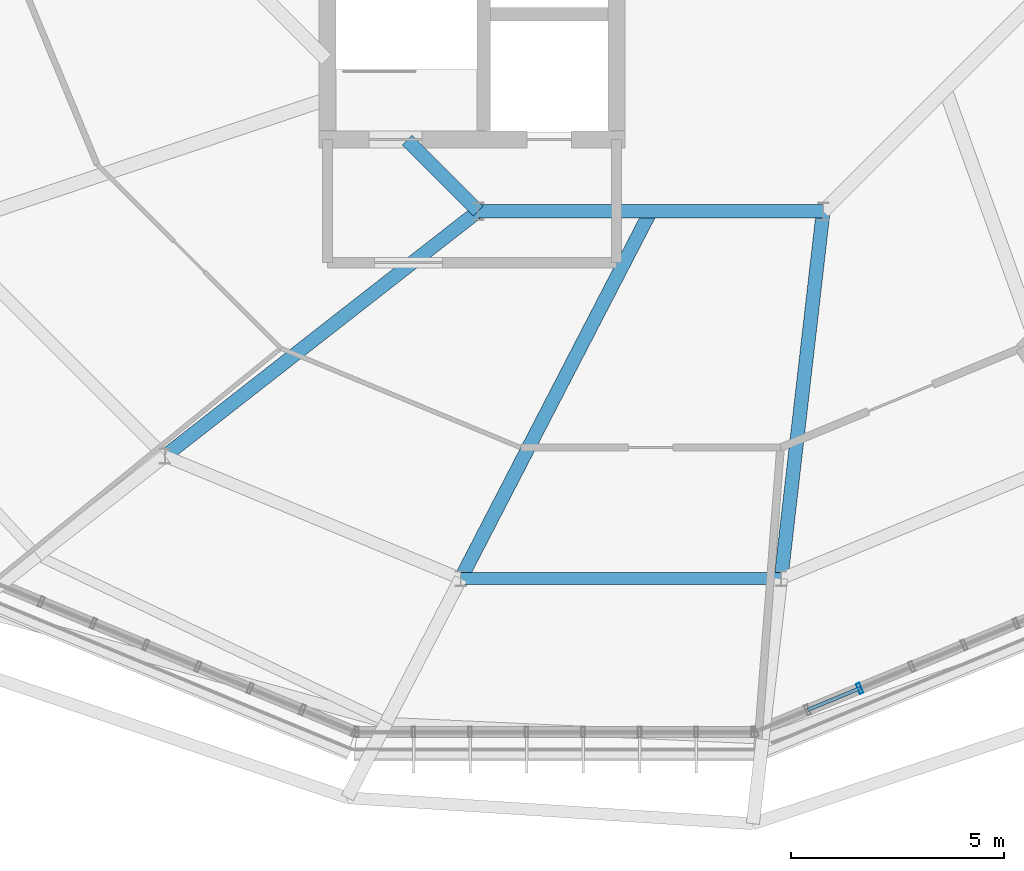
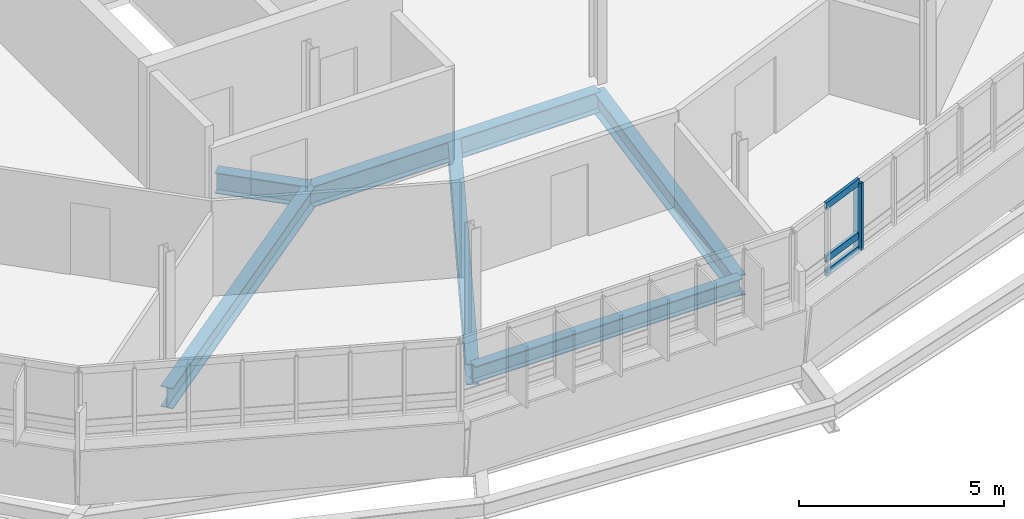
# One storey, part 8 of 31: 6 beams, 4 members, 1 element without a shape of its own.
"""IFC4 building model written with IfcOpenShell, lengths in metres."""

from ifc_helpers import new_model, si_unit, derived_unit, direction, frame, origin, origin_2d, place, context, subcontext, project, spatial, hollow_rectangle, i_section, extrude, material, layer, layer_set, material_profile, profile_set, type_object, element, aggregate, save


model = new_model("IFC4")

# Units and contexts
model_context = context("Model", 3, precision=1e-05, world=origin(), true_north=direction((0.0, 1.0)))
body_context = subcontext(model_context, "Body", "Model", "MODEL_VIEW")
ifc_project = project(units=[si_unit("LENGTHUNIT", "METRE"), si_unit("AREAUNIT", "SQUARE_METRE"), si_unit("VOLUMEUNIT", "CUBIC_METRE"), si_unit("PLANEANGLEUNIT", "RADIAN"), si_unit("MASSUNIT", "GRAM", prefix="KILO"), derived_unit("THERMALTRANSMITTANCEUNIT", [(si_unit("MASSUNIT", "GRAM", prefix="KILO"), 1), (si_unit("TIMEUNIT", "SECOND"), -3), (si_unit("THERMODYNAMICTEMPERATUREUNIT", "KELVIN"), -1)])], contexts=[model_context])

# Site, building, storey
site_placement = place(None, origin())
site = spatial("IfcSite", under=ifc_project, at=site_placement, CompositionType="ELEMENT")
building_placement = place(site_placement, origin())
building = spatial("IfcBuilding", under=site, at=building_placement, Name="Makaiwela Harbour Ferry Terminal", CompositionType="ELEMENT")
storey_placement = place(building_placement, frame((0.0, 0.0, 21.60009765625)))
storey = spatial("IfcBuildingStorey", under=building, at=storey_placement, Name="L05", CompositionType="ELEMENT", Elevation=21.60009765625)

# Curtain wall, members
ifc_material_1 = material(Name="Marine anodised aluminium 6063-T6", Category="aluminium")
ifc_layer = layer(ifc_material_1, 0.199951171875)
ifc_layer_set = layer_set([ifc_layer], Name="Marine anodised aluminium 6063-T6")
curtain_wall_type = type_object("IfcCurtainWallType", Name="ENV-CW-07", PredefinedType="USERDEFINED", material=ifc_layer_set)
curtain_wall_placement = place(storey_placement, origin())
curtain_wall = element("IfcCurtainWall", 1, at=curtain_wall_placement, inside=storey, type_object=curtain_wall_type, Name="Unitised Curtain Wall CWA-068", ObjectType="UNITIZED CURTAIN WALL", PredefinedType="USERDEFINED")
ifc_material_profile_1 = material_profile(ifc_material_1, hollow_rectangle(XDim=0.0849609375, YDim=0.25, WallThickness=0.0048828125, at=origin_2d()), Name="CWM-250X85")
ifc_profile_set_1 = profile_set([ifc_material_profile_1], Name="Marine anodised aluminium 6063-T6")
member_type_1 = type_object("IfcMemberType", Name="CW-MUL-250", PredefinedType="MULLION", material=ifc_profile_set_1)
member_1_placement = place(storey_placement, frame((42.7158203125, 46.590087890625, 1.47998046875), z_axis=(0.0, 0.0, 1.0), x_axis=(0.923879532511, 0.382683432365, 0.0)))
member_1 = element("IfcMember", 2, at=member_1_placement, type_object=member_type_1, Name="Curtain Wall Mullion CWA-068-3", PredefinedType="MULLION", context=body_context, shape_type="SweptSolid", body=[
    extrude(hollow_rectangle(XDim=0.0849609375, YDim=0.25, WallThickness=0.0048828125, at=origin_2d()), origin(), (0.0, 0.0, 1.0), 2.0),
])
ifc_material_profile_2 = material_profile(ifc_material_1, hollow_rectangle(XDim=0.0849609375, YDim=0.199951171875, WallThickness=0.0048828125, at=origin_2d()), Name="CWT-200X85")
ifc_profile_set_2 = profile_set([ifc_material_profile_2], Name="Marine anodised aluminium 6063-T6")
member_type_2 = type_object("IfcMemberType", Name="CW-TRN-200", PredefinedType="USERDEFINED", material=ifc_profile_set_2)
member_2_placement = place(storey_placement, frame((41.48779296875, 46.081298828125, 1.47998046875), z_axis=(0.923846685591, 0.382762722221, 0.0), x_axis=(-0.382762722221, 0.923846685591, 0.0)))
member_2 = element("IfcMember", 3, at=member_2_placement, type_object=member_type_2, Name="Curtain Wall Transom CWA-068-2-1", ObjectType="TRANSOM", PredefinedType="USERDEFINED", context=body_context, shape_type="SweptSolid", body=[
    extrude(hollow_rectangle(XDim=0.0849609375, YDim=0.199951171875, WallThickness=0.0048828125, at=origin_2d()), origin(), (0.0, 0.0, 1.0), 1.329345703125),
])
member_3_placement = place(storey_placement, frame((41.48779296875, 46.081298828125, 1.89990234375), z_axis=(0.923846685591, 0.382762722221, 0.0), x_axis=(-0.382762722221, 0.923846685591, 0.0)))
member_3 = element("IfcMember", 4, at=member_3_placement, type_object=member_type_2, Name="Curtain Wall Transom CWA-068-2-2", ObjectType="TRANSOM", PredefinedType="USERDEFINED", context=body_context, shape_type="SweptSolid", body=[
    extrude(hollow_rectangle(XDim=0.0849609375, YDim=0.199951171875, WallThickness=0.0048828125, at=origin_2d()), origin(), (0.0, 0.0, 1.0), 1.329345703125),
])
member_4_placement = place(storey_placement, frame((41.48779296875, 46.081298828125, 3.47998046875), z_axis=(0.923846685591, 0.382762722221, 0.0), x_axis=(-0.382762722221, 0.923846685591, 0.0)))
member_4 = element("IfcMember", 5, at=member_4_placement, type_object=member_type_2, Name="Curtain Wall Transom CWA-068-2-3", ObjectType="TRANSOM", PredefinedType="USERDEFINED", context=body_context, shape_type="SweptSolid", body=[
    extrude(hollow_rectangle(XDim=0.0849609375, YDim=0.199951171875, WallThickness=0.0048828125, at=origin_2d()), origin(), (0.0, 0.0, 1.0), 1.329345703125),
])
aggregate(curtain_wall, [member_1, member_2, member_3, member_4])

# Beams
ifc_material_2 = material(Name="Steel ASTM A992 Grade 50", Category="steel")
ifc_material_profile_3 = material_profile(ifc_material_2, i_section(OverallWidth=0.324951171875, OverallDepth=0.615966796875, WebThickness=0.013916015625, FlangeThickness=0.021484375, at=origin_2d()), Name="W24X117")
ifc_profile_set_3 = profile_set([ifc_material_profile_3], Name="Steel ASTM A992 Grade 50")
beam_type_1 = type_object("IfcBeamType", Name="STR-GRD-W24X117", PredefinedType="USERDEFINED", material=ifc_profile_set_3)
beam_1_placement = place(storey_placement, frame((32.070556640625, 59.47998046875, -0.55810546875), z_axis=(0.707106781187, -0.707106781187, 0.0), x_axis=(0.707106781187, 0.707106781187, 0.0)))
element("IfcBeam", 6, at=beam_1_placement, inside=storey, type_object=beam_type_1, Name="Drum inner ring girder 503", ObjectType="GIRDER", PredefinedType="USERDEFINED", context=body_context, shape_type="SweptSolid", body=[
    extrude(i_section(OverallWidth=0.324951171875, OverallDepth=0.615966796875, WebThickness=0.013916015625, FlangeThickness=0.021484375, at=origin_2d()), origin(), (0.0, 0.0, 1.0), 2.3662109375),
])
beam_2_placement = place(storey_placement, frame((33.74365234375, 57.806884765625, -0.55810546875), z_axis=(1.0, 0.0, 0.0), x_axis=(0.0, 1.0, 0.0)))
element("IfcBeam", 7, at=beam_2_placement, inside=storey, type_object=beam_type_1, Name="Drum inner ring girder 504", ObjectType="GIRDER", PredefinedType="USERDEFINED", context=body_context, shape_type="SweptSolid", body=[
    extrude(i_section(OverallWidth=0.324951171875, OverallDepth=0.615966796875, WebThickness=0.013916015625, FlangeThickness=0.021484375, at=origin_2d()), origin(), (0.0, 0.0, 1.0), 8.11279296875),
])
beam_3_placement = place(storey_placement, frame((33.74365234375, 57.806884765625, -0.55810546875), z_axis=(-0.78804813165, -0.615613630618, 0.0), x_axis=(0.615613630618, -0.78804813165, 0.0)))
element("IfcBeam", 8, at=beam_3_placement, inside=storey, type_object=beam_type_1, Name="Drum radial girder 561", ObjectType="GIRDER", PredefinedType="USERDEFINED", context=body_context, shape_type="SweptSolid", body=[
    extrude(i_section(OverallWidth=0.324951171875, OverallDepth=0.615966796875, WebThickness=0.013916015625, FlangeThickness=0.021484375, at=origin_2d()), origin(), (0.0, 0.0, 1.0), 9.347412109375),
])
beam_4_placement = place(storey_placement, frame((37.800048828125, 57.806884765625, -0.55810546875), z_axis=(-0.459296530257, -0.888283005181, 0.0), x_axis=(0.888283005181, -0.459296530257, 0.0)))
element("IfcBeam", 9, at=beam_4_placement, inside=storey, type_object=beam_type_1, Name="Drum radial girder 565", ObjectType="GIRDER", PredefinedType="USERDEFINED", context=body_context, shape_type="SweptSolid", body=[
    extrude(i_section(OverallWidth=0.324951171875, OverallDepth=0.615966796875, WebThickness=0.013916015625, FlangeThickness=0.021484375, at=origin_2d()), origin(), (0.0, 0.0, 1.0), 9.72216796875),
])
beam_5_placement = place(storey_placement, frame((41.8564453125, 57.806884765625, -0.55810546875), z_axis=(-0.11402817728, -0.993477515994, 0.0), x_axis=(0.993477515994, -0.11402817728, 0.0)))
element("IfcBeam", 10, at=beam_5_placement, inside=storey, type_object=beam_type_1, Name="Drum radial girder 568", ObjectType="GIRDER", PredefinedType="USERDEFINED", context=body_context, shape_type="SweptSolid", body=[
    extrude(i_section(OverallWidth=0.324951171875, OverallDepth=0.615966796875, WebThickness=0.013916015625, FlangeThickness=0.021484375, at=origin_2d()), origin(), (0.0, 0.0, 1.0), 8.692626953125),
])
ifc_material_profile_4 = material_profile(ifc_material_2, i_section(OverallWidth=0.283935546875, OverallDepth=0.47607421875, WebThickness=0.014892578125, FlangeThickness=0.02392578125, at=origin_2d()), Name="W18X106")
ifc_profile_set_4 = profile_set([ifc_material_profile_4], Name="Steel ASTM A992 Grade 50")
beam_type_2 = type_object("IfcBeamType", Name="STR-SPN-W18X106", PredefinedType="SPANDREL", material=ifc_profile_set_4)
beam_6_placement = place(storey_placement, frame((33.334716796875, 49.1708984375, -0.488037109375), z_axis=(1.0, 0.0, 0.0), x_axis=(0.0, 1.0, 0.0)))
element("IfcBeam", 11, at=beam_6_placement, inside=storey, type_object=beam_type_2, Name="Drum column ring girder 518", PredefinedType="SPANDREL", context=body_context, shape_type="SweptSolid", body=[
    extrude(i_section(OverallWidth=0.283935546875, OverallDepth=0.47607421875, WebThickness=0.014892578125, FlangeThickness=0.02392578125, at=origin_2d()), origin(), (0.0, 0.0, 1.0), 7.530517578125),
])

save(model, "model.ifc")
